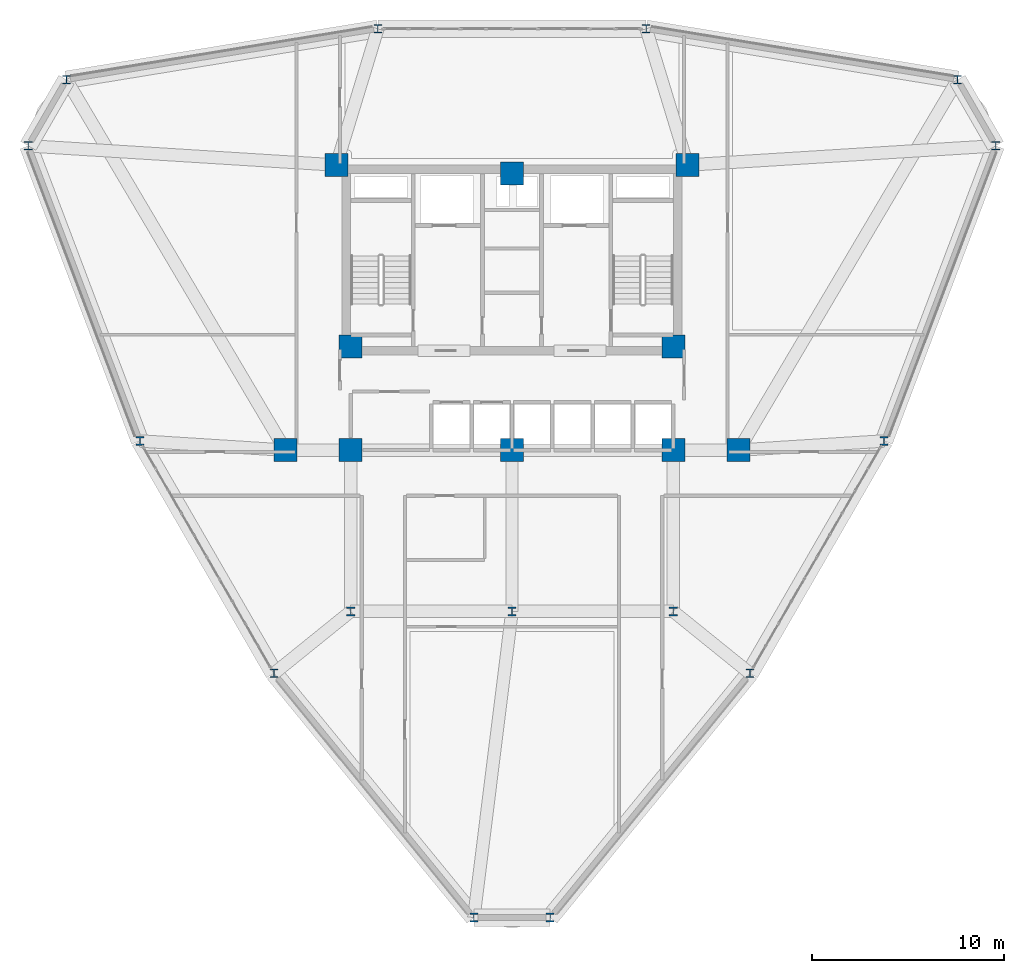
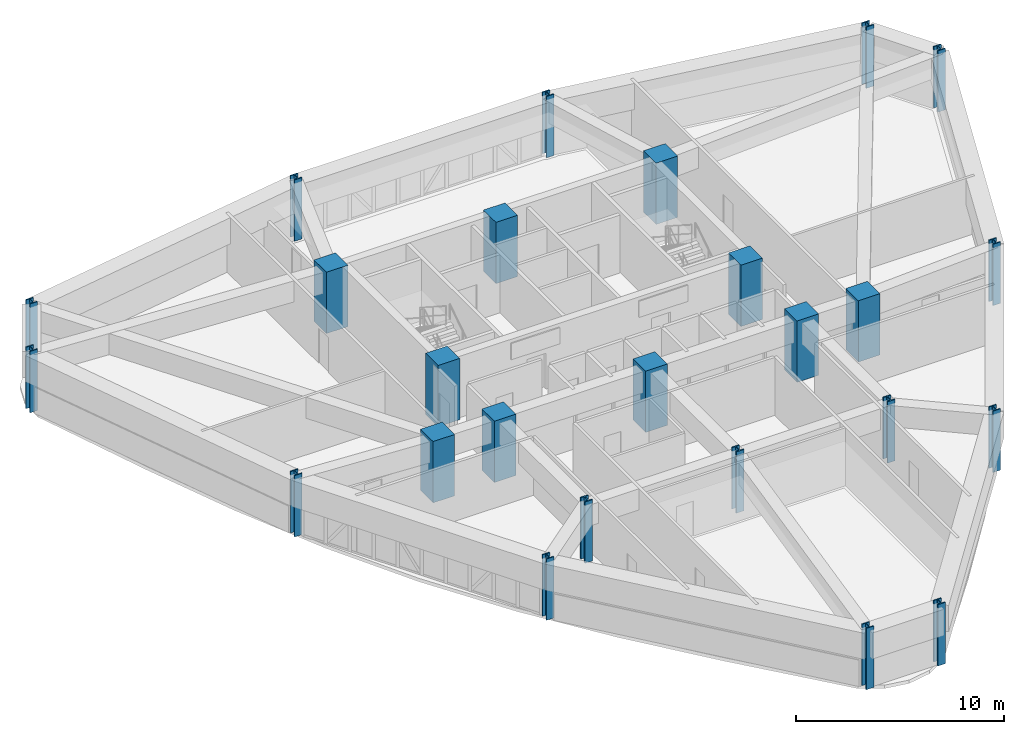
# One storey, part 1 of 15: 25 columns.
"""IFC4 building model written with IfcOpenShell, lengths in metres."""

from ifc_helpers import new_model, si_unit, derived_unit, direction, frame, origin, origin_2d, place, context, subcontext, project, spatial, rectangle, i_section, extrude, source, transform, mapped, material, material_profile, profile_set, type_object, element, save


model = new_model("IFC4")

# Units and contexts
model_context = context("Model", 3, precision=1e-05, world=origin(), true_north=direction((0.0, 1.0)))
body_context = subcontext(model_context, "Body", "Model", "MODEL_VIEW")
ifc_project = project(units=[si_unit("LENGTHUNIT", "METRE"), si_unit("AREAUNIT", "SQUARE_METRE"), si_unit("VOLUMEUNIT", "CUBIC_METRE"), si_unit("PLANEANGLEUNIT", "RADIAN"), si_unit("MASSUNIT", "GRAM", prefix="KILO"), derived_unit("THERMALTRANSMITTANCEUNIT", [(si_unit("POWERUNIT", "WATT"), 1), (si_unit("LENGTHUNIT", "METRE"), -2), (si_unit("THERMODYNAMICTEMPERATUREUNIT", "KELVIN"), -1)])], contexts=[model_context])

# Site, building, storey
site_placement = place(None, origin())
site = spatial("IfcSite", under=ifc_project, at=site_placement, CompositionType="ELEMENT")
building_placement = place(site_placement, origin())
building = spatial("IfcBuilding", under=site, at=building_placement, Name="Korsvarv Bourse and Concert Hall", CompositionType="ELEMENT")
storey_placement = place(building_placement, frame((0.0, 0.0, 113.39990234375)))
storey = spatial("IfcBuildingStorey", under=building, at=storey_placement, Name="L28", CompositionType="ELEMENT", Elevation=113.39990234375)

# Columns
ifc_material_1 = material(Name="Concrete C60/75", Category="concrete")
ifc_material_profile_1 = material_profile(ifc_material_1, rectangle(XDim=1.199951171875, YDim=1.199951171875, at=origin_2d()), Name="RC 1200x1200")
ifc_profile_set_1 = profile_set([ifc_material_profile_1], Name="Concrete C60/75")
column_type_1 = type_object("IfcColumnType", Name="COL-RC1200", PredefinedType="COLUMN", material=ifc_profile_set_1)
shared_shape_1 = source(origin(), body_context, "Body", "SweptSolid", [
    extrude(rectangle(XDim=1.199951171875, YDim=1.199951171875, at=origin_2d()), origin(), (0.0, 0.0, 1.0), 3.60009765625),
])
for number, where, z_axis, x_axis, name in (
    (1, (26.85009765625, 47.25, 0.0), (0.0, 0.0, 1.0), (1.0, 0.0, 0.0), "L28 column C-02"),
    (2, (45.14990234375, 47.25, 0.0), (0.0, 0.0, 1.0), (1.0, 0.0, 0.0), "L28 column C-02"),
    (3, (27.60009765625, 37.800048828125, 0.0), (0.0, 0.0, 1.0), (1.0, 0.0, 0.0), "L28 column C-02"),
    (4, (44.39990234375, 37.800048828125, 0.0), (0.0, 0.0, 1.0), (1.0, 0.0, 0.0), "L28 column C-02"),
    (5, (27.60009765625, 32.39990234375, 0.0), (0.0, 0.0, 1.0), (1.0, 0.0, 0.0), "L28 column C-02"),
    (6, (44.39990234375, 32.39990234375, 0.0), (0.0, 0.0, 1.0), (1.0, 0.0, 0.0), "L28 column C-02"),
    (7, (36.0, 46.800048828125, 0.0), (0.0, 0.0, 1.0), (1.0, 0.0, 0.0), "L28 column C-02"),
    (8, (36.0, 32.39990234375, 0.0), (0.0, 0.0, 1.0), (1.0, 0.0, 0.0), "L28 column C-02"),
    (9, (24.199951171875, 32.39990234375, 0.0), (0.0, 0.0, 1.0), (1.0, 0.0, 0.0), "L28 column C-02"),
    (10, (47.800048828125, 32.39990234375, 0.0), (0.0, 0.0, 1.0), (1.0, 0.0, 0.0), "L28 column C-02"),
):
    element("IfcColumn", number, at=place(storey_placement, frame(where, z_axis=z_axis, x_axis=x_axis)), inside=storey, type_object=column_type_1, Name=name, PredefinedType="COLUMN", context=body_context, shape_type="MappedRepresentation", body=[
        mapped(shared_shape_1, transform((0.0, 0.0, 0.0), scale=1.0)),
    ])
ifc_material_2 = material(Name="Steel S460", Category="steel")
ifc_material_profile_2 = material_profile(ifc_material_2, i_section(OverallWidth=0.424072265625, OverallDepth=0.47412109375, WebThickness=0.044921875, FlangeThickness=0.072021484375, FilletRadius=0.014892578125, at=origin_2d()), Name="HD 400x634")
ifc_profile_set_2 = profile_set([ifc_material_profile_2], Name="Steel S460")
column_type_2 = type_object("IfcColumnType", Name="COL-HD634", PredefinedType="COLUMN", material=ifc_profile_set_2)
shared_shape_2 = source(origin(), body_context, "Body", "SweptSolid", [
    extrude(i_section(OverallWidth=0.424072265625, OverallDepth=0.47412109375, WebThickness=0.044921875, FlangeThickness=0.072021484375, FilletRadius=0.014892578125, at=origin_2d()), origin(), (0.0, 0.0, 1.0), 3.60009765625),
])
for number, where, z_axis, x_axis, name in (
    (11, (27.60009765625, 24.0, 0.0), (0.0, 0.0, 1.0), (1.0, 0.0, 0.0), "L28 column C-07"),
    (12, (44.39990234375, 24.0, 0.0), (0.0, 0.0, 1.0), (1.0, 0.0, 0.0), "L28 column C-07"),
    (13, (36.0, 24.0, 0.0), (0.0, 0.0, 1.0), (1.0, 0.0, 0.0), "L28 column C-07"),
):
    element("IfcColumn", number, at=place(storey_placement, frame(where, z_axis=z_axis, x_axis=x_axis)), inside=storey, type_object=column_type_2, Name=name, PredefinedType="COLUMN", context=body_context, shape_type="MappedRepresentation", body=[
        mapped(shared_shape_2, transform((0.0, 0.0, 0.0), scale=1.0)),
    ])
ifc_material_profile_3 = material_profile(ifc_material_2, i_section(OverallWidth=0.41796875, OverallDepth=0.455078125, WebThickness=0.0390625, FlangeThickness=0.06298828125, FilletRadius=0.014892578125, at=origin_2d()), Name="HD 400x551")
ifc_profile_set_3 = profile_set([ifc_material_profile_3], Name="Steel S460")
column_type_3 = type_object("IfcColumnType", Name="COL-HD551", PredefinedType="COLUMN", material=ifc_profile_set_3)
shared_shape_3 = source(origin(), body_context, "Body", "SweptSolid", [
    extrude(i_section(OverallWidth=0.41796875, OverallDepth=0.455078125, WebThickness=0.0390625, FlangeThickness=0.06298828125, FilletRadius=0.014892578125, at=origin_2d()), origin(), (0.0, 0.0, 1.0), 3.60009765625),
])
for number, where, z_axis, x_axis, name in (
    (14, (61.19482421875, 48.25146484375, 0.0), (0.0, 0.0, 1.0), (1.0, 0.0, 0.0), "L28 column C-08"),
    (15, (59.20751953125, 51.693603515625, 0.0), (0.0, 0.0, 1.0), (1.0, 0.0, 0.0), "L28 column C-08"),
    (16, (42.988037109375, 54.344482421875, 0.0), (0.0, 0.0, 1.0), (1.0, 0.0, 0.0), "L28 column C-08"),
    (17, (29.011962890625, 54.344482421875, 0.0), (0.0, 0.0, 1.0), (1.0, 0.0, 0.0), "L28 column C-08"),
    (18, (12.79248046875, 51.693603515625, 0.0), (0.0, 0.0, 1.0), (1.0, 0.0, 0.0), "L28 column C-08"),
    (19, (10.80517578125, 48.25146484375, 0.0), (0.0, 0.0, 1.0), (1.0, 0.0, 0.0), "L28 column C-08"),
    (20, (16.619140625, 32.87939453125, 0.0), (0.0, 0.0, 1.0), (1.0, 0.0, 0.0), "L28 column C-08"),
    (21, (23.607177734375, 20.77587890625, 0.0), (0.0, 0.0, 1.0), (1.0, 0.0, 0.0), "L28 column C-08"),
    (22, (34.0126953125, 8.054931640625, 0.0), (0.0, 0.0, 1.0), (1.0, 0.0, 0.0), "L28 column C-08"),
    (23, (37.9873046875, 8.054931640625, 0.0), (0.0, 0.0, 1.0), (1.0, 0.0, 0.0), "L28 column C-08"),
    (24, (48.392822265625, 20.77587890625, 0.0), (0.0, 0.0, 1.0), (1.0, 0.0, 0.0), "L28 column C-08"),
    (25, (55.380859375, 32.87939453125, 0.0), (0.0, 0.0, 1.0), (1.0, 0.0, 0.0), "L28 column C-08"),
):
    element("IfcColumn", number, at=place(storey_placement, frame(where, z_axis=z_axis, x_axis=x_axis)), inside=storey, type_object=column_type_3, Name=name, PredefinedType="COLUMN", context=body_context, shape_type="MappedRepresentation", body=[
        mapped(shared_shape_3, transform((0.0, 0.0, 0.0), scale=1.0)),
    ])

save(model, "model.ifc")
